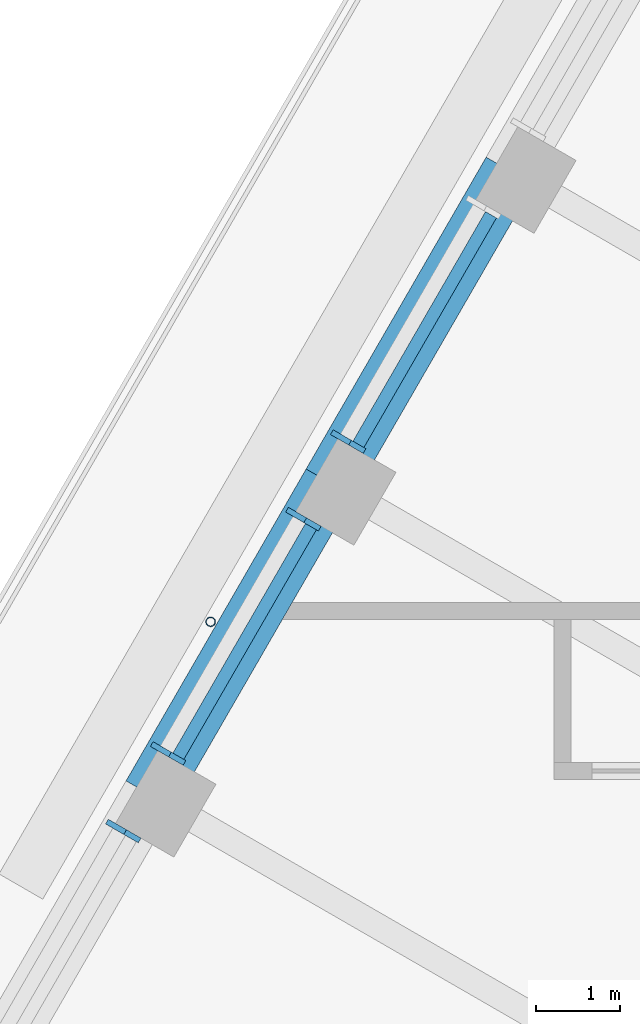
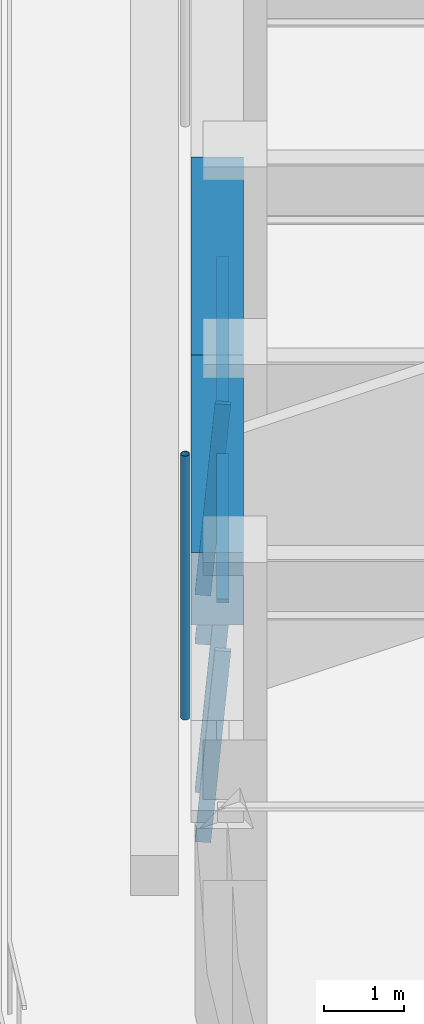
# One storey, part 6 of 19: 7 members, 2 beams, 3 elements without a shape of their own.
"""IFC4 building model written with IfcOpenShell, lengths in metres."""

from ifc_helpers import new_model, si_unit, direction, frame, origin, origin_2d, place, context, subcontext, project, spatial, rectangle, hollow_circle, extrude, material, material_profile, profile_set, type_object, element, aggregate, save


model = new_model("IFC4")

# Units and contexts
model_context = context("Model", 3, precision=1e-05, world=origin(), true_north=direction((0.0, 1.0)))
body_context = subcontext(model_context, "Body", "Model", "MODEL_VIEW")
ifc_project = project(units=[si_unit("LENGTHUNIT", "METRE"), si_unit("AREAUNIT", "SQUARE_METRE"), si_unit("VOLUMEUNIT", "CUBIC_METRE"), si_unit("PLANEANGLEUNIT", "RADIAN"), si_unit("MASSUNIT", "GRAM", prefix="KILO")], contexts=[model_context])

# Site, building, storey
site_placement = place(None, origin())
site = spatial("IfcSite", under=ifc_project, at=site_placement, CompositionType="ELEMENT")
building_placement = place(site_placement, origin())
building = spatial("IfcBuilding", under=site, at=building_placement, Name="Tarfa Lantern Tower", CompositionType="ELEMENT")
storey_placement = place(building_placement, frame((0.0, 0.0, 345.10009765625)))
storey = spatial("IfcBuildingStorey", under=building, at=storey_placement, Name="L78", CompositionType="ELEMENT", Elevation=345.10009765625)

# Curtain wall, member
ifc_material_1 = material(Name="Aluminium framed curtain wall", Category="aluminium")
curtain_wall_type = type_object("IfcCurtainWallType", Name="CW4 CANTED GLAZING EXECUTIVE ZONE 2900", PredefinedType="USERDEFINED", material=ifc_material_1)
curtain_wall_1_placement = place(storey_placement, origin())
curtain_wall_1 = element("IfcCurtainWall", 1, at=curtain_wall_1_placement, inside=storey, type_object=curtain_wall_type, Name="CW4 NW L78", ObjectType="CURTAIN WALL", PredefinedType="USERDEFINED")
ifc_material_2 = material(Name="Aluminium mullion", Category="aluminium")
ifc_material_profile_1 = material_profile(ifc_material_2, rectangle(XDim=0.06494140625, YDim=0.199951171875, at=origin_2d()), Name="AL MULLION 65x200")
ifc_profile_set_1 = profile_set([ifc_material_profile_1], Name="Aluminium mullion")
member_type_1 = type_object("IfcMemberType", Name="CWM1 MULLION 65x200", PredefinedType="MULLION", material=ifc_profile_set_1)
member_1_placement = place(storey_placement, frame((-24.954345703125, 10.077880859375, 0.0), z_axis=(0.074399820079, -0.042945555672, 0.996303340364), x_axis=(0.499919672301, 0.866071776036, 0.0)))
member_1 = element("IfcMember", 2, at=member_1_placement, type_object=member_type_1, Name="CW4 mullion 2", PredefinedType="MULLION", context=body_context, shape_type="SweptSolid", body=[
    extrude(rectangle(XDim=0.06494140625, YDim=0.199951171875, at=origin_2d()), origin(), (0.0, 0.0, 1.0), 2.91064453125),
])

# Curtain wall, members
curtain_wall_2_placement = place(storey_placement, origin())
curtain_wall_2 = element("IfcCurtainWall", 3, at=curtain_wall_2_placement, inside=storey, type_object=curtain_wall_type, Name="CW4 NW L78", ObjectType="CURTAIN WALL", PredefinedType="USERDEFINED")
member_2_placement = place(storey_placement, frame((-25.48681640625, 9.155517578125, 0.0), z_axis=(0.074399820079, -0.042945555672, 0.996303340364), x_axis=(0.499919672301, 0.866071776036, 0.0)))
member_2 = element("IfcMember", 4, at=member_2_placement, type_object=member_type_1, Name="CW4 mullion 1", PredefinedType="MULLION", context=body_context, shape_type="SweptSolid", body=[
    extrude(rectangle(XDim=0.06494140625, YDim=0.199951171875, at=origin_2d()), origin(), (0.0, 0.0, 1.0), 2.91064453125),
])
member_3_placement = place(storey_placement, frame((-27.095458984375, 6.369384765625, 0.0), z_axis=(0.074399820079, -0.042945555672, 0.996303340364), x_axis=(0.499919672301, 0.866071776036, 0.0)))
member_3 = element("IfcMember", 5, at=member_3_placement, type_object=member_type_1, Name="CW4 mullion 2", PredefinedType="MULLION", context=body_context, shape_type="SweptSolid", body=[
    extrude(rectangle(XDim=0.06494140625, YDim=0.199951171875, at=origin_2d()), origin(), (0.0, 0.0, 1.0), 2.91064453125),
])

# Curtain wall, member
curtain_wall_3_placement = place(storey_placement, origin())
curtain_wall_3 = element("IfcCurtainWall", 6, at=curtain_wall_3_placement, inside=storey, type_object=curtain_wall_type, Name="CW4 NW L78", ObjectType="CURTAIN WALL", PredefinedType="USERDEFINED")
member_4_placement = place(storey_placement, frame((-27.6279296875, 5.447265625, 0.0), z_axis=(0.074399820079, -0.042945555672, 0.996303340364), x_axis=(0.499919672301, 0.866071776036, 0.0)))
member_4 = element("IfcMember", 7, at=member_4_placement, type_object=member_type_1, Name="CW4 mullion 1", PredefinedType="MULLION", context=body_context, shape_type="SweptSolid", body=[
    extrude(rectangle(XDim=0.06494140625, YDim=0.199951171875, at=origin_2d()), origin(), (0.0, 0.0, 1.0), 2.91064453125),
])
aggregate(curtain_wall_3, [member_4])

# Member
ifc_material_3 = material(Name="Aluminium transom", Category="aluminium")
ifc_material_profile_2 = material_profile(ifc_material_3, rectangle(XDim=0.14990234375, YDim=0.06494140625, at=origin_2d()), Name="AL TRANSOM 150x65")
ifc_profile_set_2 = profile_set([ifc_material_profile_2], Name="Aluminium transom")
member_type_2 = type_object("IfcMemberType", Name="CWT1 TRANSOM 150x65", PredefinedType="USERDEFINED", material=ifc_profile_set_2)
member_5_placement = place(storey_placement, frame((-23.14794921875, 12.712158203125, 2.867431640625), z_axis=(-0.500037562771, -0.866003715822, 0.0), x_axis=(0.866003715822, -0.500037562771, 0.0)))
member_5 = element("IfcMember", 8, at=member_5_placement, type_object=member_type_2, Name="CW4 transom 1.2", ObjectType="TRANSOM", PredefinedType="USERDEFINED", context=body_context, shape_type="SweptSolid", body=[
    extrude(rectangle(XDim=0.14990234375, YDim=0.06494140625, at=origin_2d()), origin(), (0.0, 0.0, 1.0), 3.152099609375),
])

aggregate(curtain_wall_1, [member_1, member_5])

member_6_placement = place(storey_placement, frame((-25.2890625, 9.003662109375, 2.867431640625), z_axis=(-0.499979472441, -0.866037255052, 0.0), x_axis=(0.866037255052, -0.499979472441, 0.0)))
member_6 = element("IfcMember", 9, at=member_6_placement, type_object=member_type_2, Name="CW4 transom 1.2", ObjectType="TRANSOM", PredefinedType="USERDEFINED", context=body_context, shape_type="SweptSolid", body=[
    extrude(rectangle(XDim=0.14990234375, YDim=0.06494140625, at=origin_2d()), origin(), (0.0, 0.0, 1.0), 3.152099609375),
])

aggregate(curtain_wall_2, [member_2, member_3, member_6])

# Beams
ifc_material_4 = material(Name="Concrete C80/95", Category="concrete")
ifc_material_profile_3 = material_profile(ifc_material_4, rectangle(XDim=0.64990234375, YDim=1.10009765625, at=origin_2d()), Name="RC 650x1100")
ifc_profile_set_3 = profile_set([ifc_material_profile_3], Name="Concrete C80/95")
beam_type = type_object("IfcBeamType", Name="EB4 RC 650x1100", PredefinedType="SPANDREL", material=ifc_profile_set_3)
beam_1_placement = place(storey_placement, frame((-22.923583984375, 13.235107421875, 3.449951171875), z_axis=(-0.500002112793, -0.866024183959, 0.0), x_axis=(0.866024183959, -0.500002112793, 0.0)))
element("IfcBeam", 10, at=beam_1_placement, inside=storey, type_object=beam_type, Name="Edge beam NW3", PredefinedType="SPANDREL", context=body_context, shape_type="SweptSolid", body=[
    extrude(rectangle(XDim=0.64990234375, YDim=1.10009765625, at=origin_2d()), origin(), (0.0, 0.0, 1.0), 4.2822265625),
])
beam_2_placement = place(storey_placement, frame((-25.064697265625, 9.526611328125, 3.449951171875), z_axis=(-0.500026801138, -0.866009929587, 0.0), x_axis=(0.866009929587, -0.500026801138, 0.0)))
element("IfcBeam", 11, at=beam_2_placement, inside=storey, type_object=beam_type, Name="Edge beam NW4", PredefinedType="SPANDREL", context=body_context, shape_type="SweptSolid", body=[
    extrude(rectangle(XDim=0.64990234375, YDim=1.10009765625, at=origin_2d()), origin(), (0.0, 0.0, 1.0), 4.281982421875),
])

# Member
ifc_material_5 = material(Name="Steel S355", Category="steel")
ifc_material_profile_4 = material_profile(ifc_material_5, hollow_circle(Radius=0.05712890625, WallThickness=0.00634765625, at=origin_2d()), Name="CHS114.3x6.3")
ifc_profile_set_4 = profile_set([ifc_material_profile_4], Name="Steel S355")
member_type_3 = type_object("IfcMemberType", Name="TR1 GREEN WALL TRELLIS CHS114.3x6.3", PredefinedType="USERDEFINED", material=ifc_profile_set_4)
member_7_placement = place(storey_placement, frame((-26.481689453125, 7.87255859375, 0.0), z_axis=(0.0, 0.0, 1.0), x_axis=(1.0, 0.0, 0.0)))
element("IfcMember", 12, at=member_7_placement, inside=storey, type_object=member_type_3, Name="Trellis post NW 2", ObjectType="TRELLIS", PredefinedType="USERDEFINED", context=body_context, shape_type="SweptSolid", body=[
    extrude(hollow_circle(Radius=0.05712890625, WallThickness=0.00634765625, at=origin_2d()), origin(), (0.0, 0.0, 1.0), 4.0),
])

save(model, "model.ifc")
